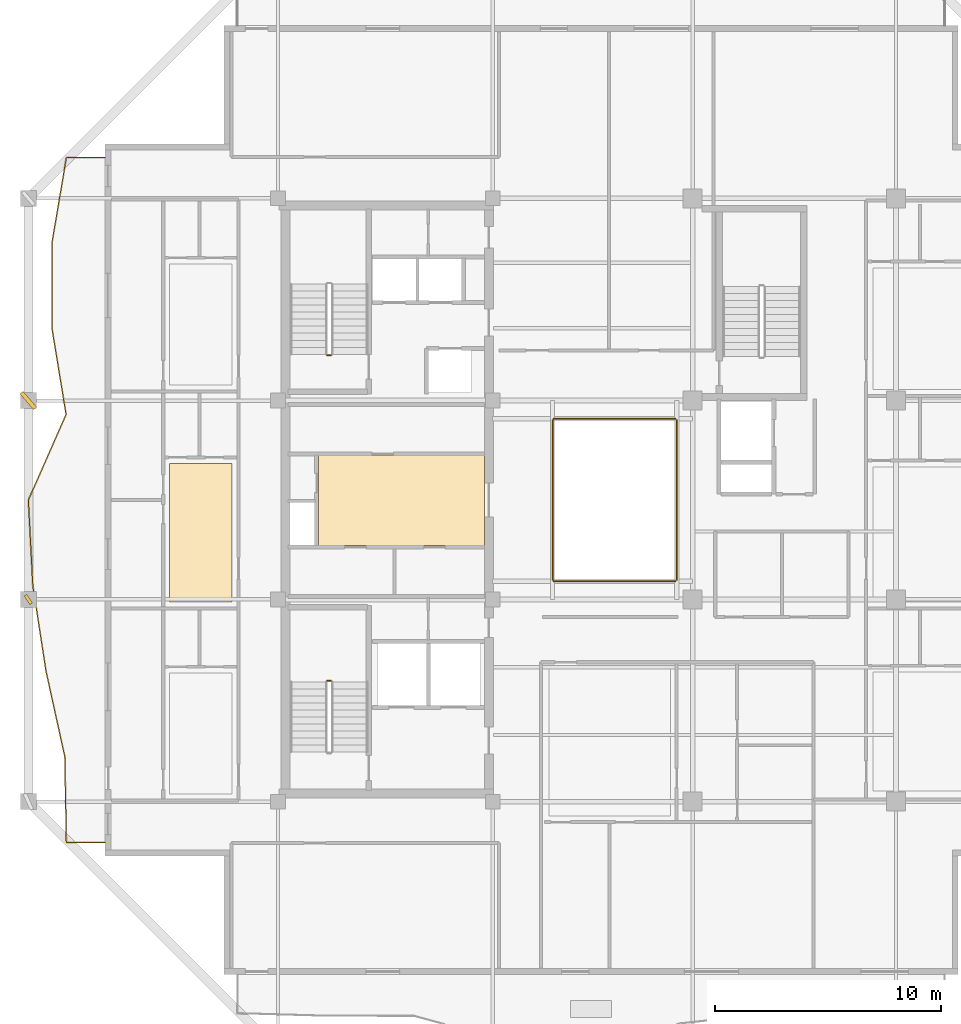
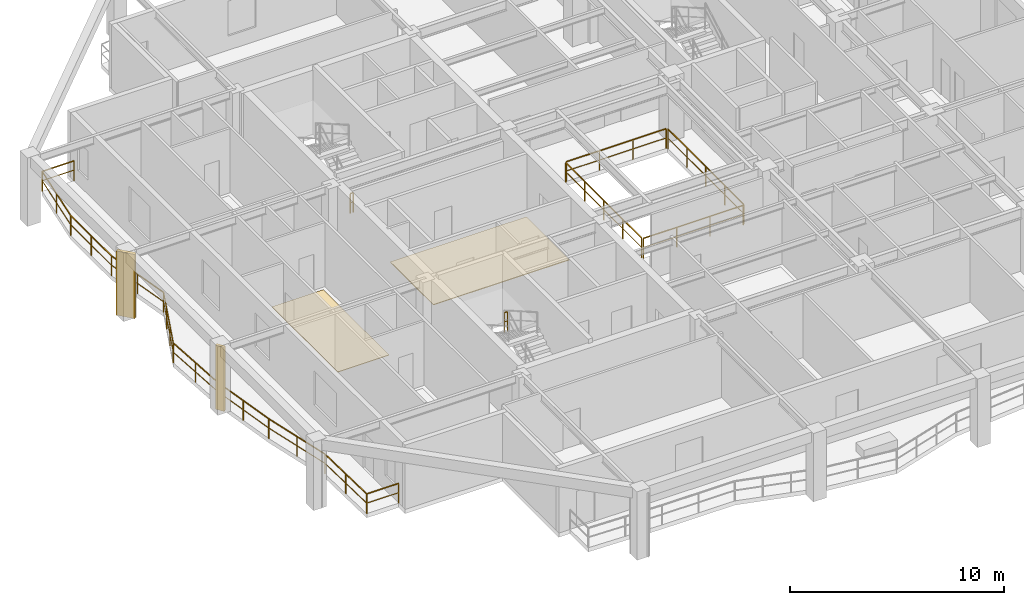
# One storey, part 9 of 13: 7 railings, 2 coverings, 2 shading devices.
"""IFC4 building model written with IfcOpenShell, lengths in metres."""

import ifcopenshell
import ifcopenshell.guid

model = None  # the IFC model being written
_history = None  # IfcOwnerHistory: only IFC2X3 demands one
_inside = {}  # id of a spatial element -> (the spatial element, [elements in it])
_under = {}  # id of a project, library or spatial element -> (it, [spatial elements below it])
_declared = {}  # id of a project -> (the project, [libraries it declares])
_typed = {}  # id of a type object -> (the type object, [elements of that type])
_made_of = {}  # id of a material, layer set ... -> (it, [elements and type objects made of it])


def new_model(schema):
    """Start an empty IFC model of exactly this schema.

    Asked for "IFC4X3", IfcOpenShell would pick the latest addendum, in which some entities
    have other attributes; the version numbers below select the first issue.
    IFC2X3 requires an IfcOwnerHistory on every rooted entity: one is made here for all.
    """
    global model, _history
    if schema == "IFC4X3":
        model = ifcopenshell.file(schema_version=(4, 3, 0, 0))
    else:
        model = ifcopenshell.file(schema=schema)
    _inside.clear()
    _under.clear()
    _declared.clear()
    _typed.clear()
    _made_of.clear()
    _history = None
    if model.schema == "IFC2X3":
        org = make("IfcOrganization", Name="unknown")
        user = make(
            "IfcPersonAndOrganization",
            ThePerson=make("IfcPerson", FamilyName="unknown"),
            TheOrganization=org,
        )
        app = make(
            "IfcApplication",
            ApplicationDeveloper=org,
            Version="unknown",
            ApplicationFullName="unknown",
            ApplicationIdentifier="unknown",
        )
        _history = make(
            "IfcOwnerHistory",
            OwningUser=user,
            OwningApplication=app,
            ChangeAction="ADDED",
            CreationDate=0,
        )
    return model


def make(cls, **values):
    """One entity of the class cls with the attributes given. An attribute that is None is left unset."""
    return model.create_entity(
        cls, **{name: value for name, value in values.items() if value is not None}
    )


def rooted(cls, **values):
    """An entity with a GlobalId (a new one), such as an element, a storey or a relation."""
    return make(cls, GlobalId=ifcopenshell.guid.new(), OwnerHistory=_history, **values)


def si_unit(unit_type, name, prefix=None):
    """IfcSIUnit, for example si_unit("LENGTHUNIT", "METRE", prefix="MILLI")."""
    return make("IfcSIUnit", UnitType=unit_type, Prefix=prefix, Name=name)


def assignment(units):
    """IfcUnitAssignment: the units of a project."""
    return None if units is None else make("IfcUnitAssignment", Units=units)


def point(xyz):
    """IfcCartesianPoint."""
    return None if xyz is None else make("IfcCartesianPoint", Coordinates=xyz)


def direction(xyz):
    """IfcDirection."""
    return None if xyz is None else make("IfcDirection", DirectionRatios=xyz)


def frame(location, z_axis=None, x_axis=None):
    """IfcAxis2Placement3D, a coordinate frame: its origin and axes. An axis left out is left unset."""
    return make(
        "IfcAxis2Placement3D",
        Location=point(location),
        Axis=direction(z_axis),
        RefDirection=direction(x_axis),
    )


def frame_2d(location, x_axis=None):
    """IfcAxis2Placement2D, a coordinate frame in the plane: its origin and x axis."""
    return make(
        "IfcAxis2Placement2D", Location=point(location), RefDirection=direction(x_axis)
    )


def origin():
    """The frame at (0, 0, 0) with its axes left unset."""
    return frame((0.0, 0.0, 0.0))


def origin_2d():
    """The frame at (0, 0) in the plane with its x axis left unset."""
    return frame_2d((0.0, 0.0))


def place(relative_to, where):
    """IfcLocalPlacement: puts the frame where relative to a parent placement (None: the world)."""
    return make(
        "IfcLocalPlacement", PlacementRelTo=relative_to, RelativePlacement=where
    )


def context(
    kind, dimensions, precision=None, world=None, true_north=None, identifier=None
):
    """IfcGeometricRepresentationContext, for example the 3D "Model" context."""
    return make(
        "IfcGeometricRepresentationContext",
        ContextIdentifier=identifier,
        ContextType=kind,
        CoordinateSpaceDimension=dimensions,
        Precision=precision,
        WorldCoordinateSystem=world,
        TrueNorth=true_north,
    )


def subcontext(parent, identifier, kind, view, scale=None):
    """IfcGeometricRepresentationSubContext, for example "Body" below "Model"."""
    return make(
        "IfcGeometricRepresentationSubContext",
        ContextIdentifier=identifier,
        ContextType=kind,
        ParentContext=parent,
        TargetScale=scale,
        TargetView=view,
    )


def project(units=None, contexts=None):
    """IfcProject with its units and contexts."""
    return rooted(
        "IfcProject",
        Name="project",
        RepresentationContexts=contexts,
        UnitsInContext=assignment(units),
    )


def spatial(cls, under=None, at=None, **own):
    """A site, building, storey or space (cls), placed at a placement, below another one or the project."""
    s = rooted(cls, ObjectPlacement=at, **own)
    if under is not None:
        _under.setdefault(under.id(), (under, []))[1].append(s)
    return s


def polyline(points):
    """IfcPolyline through the points."""
    return make("IfcPolyline", Points=[point(p) for p in points])


def profile(cls, at=None, kind="AREA", **sizes):
    """A parametric profile (cls). Its sizes go by their IFC names, for example OverallWidth=200.0."""
    return make(cls, ProfileType=kind, Position=at, **sizes)


def rectangle(**sizes):
    """IfcRectangleProfileDef."""
    return profile("IfcRectangleProfileDef", **sizes)


def outline(outer, holes=None, kind="AREA"):
    """IfcArbitraryClosedProfileDef: a profile drawn as a closed curve; with holes, ...WithVoids."""
    if holes is None:
        return make("IfcArbitraryClosedProfileDef", ProfileType=kind, OuterCurve=outer)
    return make(
        "IfcArbitraryProfileDefWithVoids",
        ProfileType=kind,
        OuterCurve=outer,
        InnerCurves=holes,
    )


def extrude(swept, where, along, depth):
    """IfcExtrudedAreaSolid: the profile swept, set in the frame where, extruded along a direction by depth."""
    return make(
        "IfcExtrudedAreaSolid",
        SweptArea=swept,
        Position=where,
        ExtrudedDirection=direction(along),
        Depth=depth,
    )


def shape(context_of_items, identifier, shape_type, items):
    """IfcShapeRepresentation: the items that make up one representation, for example the "Body"."""
    return make(
        "IfcShapeRepresentation",
        ContextOfItems=context_of_items,
        RepresentationIdentifier=identifier,
        RepresentationType=shape_type,
        Items=items,
    )


def material(Name=None, Category=None):
    """IfcMaterial."""
    return make("IfcMaterial", Name=Name, Category=Category)


def layer(
    of_material, thickness, ventilated=None, Name=None, Category=None, Priority=None
):
    """IfcMaterialLayer: one layer of a wall or slab, of a material (None: an air gap)."""
    return make(
        "IfcMaterialLayer",
        Material=of_material,
        LayerThickness=thickness,
        IsVentilated=ventilated,
        Name=Name,
        Category=Category,
        Priority=Priority,
    )


def layer_set(layers, Name=None):
    """IfcMaterialLayerSet."""
    return make("IfcMaterialLayerSet", MaterialLayers=layers, LayerSetName=Name)


def made_of(thing, what):
    """Note that an element or type object is made of a material, layer set ...; save() writes the relation."""
    if what is not None:
        _made_of.setdefault(what.id(), (what, []))[1].append(thing)
    return thing


def type_object(cls, material=None, **own):
    """A type object (cls), such as IfcWallType, which elements share."""
    return made_of(rooted(cls, **own), material)


def element(
    cls,
    number,
    at=None,
    inside=None,
    cuts=None,
    type_object=None,
    material=None,
    context=None,
    identifier="Body",
    shape_type=None,
    held_by="IfcProductDefinitionShape",
    body=None,
    shapes=None,
    **own,
):
    """One element of the class cls, such as IfcWall. Its Tag is "e" and its number.

    at: its placement. inside: the storey or other place that contains it. cuts: it is an
    opening in that element (IfcRelVoidsElement). A single representation is given by context,
    identifier, shape_type and body (its items); several are given by shapes. held_by: the class
    of the entity that holds the representations. save() writes the other relations.
    """
    e = rooted(cls, Tag="e%d" % number, ObjectPlacement=at, **own)
    if body is not None:
        shapes = [shape(context, identifier, shape_type, body)]
    if shapes is not None:
        e.Representation = make(held_by, Representations=shapes)
    if inside is not None:
        _inside.setdefault(inside.id(), (inside, []))[1].append(e)
    if cuts is not None:
        rooted(
            "IfcRelVoidsElement", RelatingBuildingElement=cuts, RelatedOpeningElement=e
        )
    if type_object is not None:
        _typed.setdefault(type_object.id(), (type_object, []))[1].append(e)
    return made_of(e, material)


def aggregate(whole, parts):
    """IfcRelAggregates: a whole, such as a stair, and the parts it consists of."""
    return rooted("IfcRelAggregates", RelatingObject=whole, RelatedObjects=parts)


def save(model, path):
    """Write the relations noted so far, then the file.

    IfcRelAggregates (storeys below a building ...), IfcRelContainedInSpatialStructure (elements
    in a storey), IfcRelDefinesByType, IfcRelAssociatesMaterial and IfcRelDeclares: one each for
    every whole, place, type object, material and project.
    """
    for whole, parts in _under.values():
        aggregate(whole, parts)
    for where, things in _inside.values():
        rooted(
            "IfcRelContainedInSpatialStructure",
            RelatedElements=things,
            RelatingStructure=where,
        )
    for kind, things in _typed.values():
        rooted("IfcRelDefinesByType", RelatedObjects=things, RelatingType=kind)
    for what, things in _made_of.values():
        rooted("IfcRelAssociatesMaterial", RelatedObjects=things, RelatingMaterial=what)
    for by, libraries in _declared.values():
        rooted("IfcRelDeclares", RelatingContext=by, RelatedDefinitions=libraries)
    model.write(path)


model = new_model("IFC4")

# Units and contexts
model_context = context("Model", 3, precision=1e-05, world=origin(), true_north=direction((0.0, 1.0)))
body_context = subcontext(model_context, "Body", "Model", "MODEL_VIEW")
ifc_project = project(units=[si_unit("LENGTHUNIT", "METRE"), si_unit("AREAUNIT", "SQUARE_METRE"), si_unit("VOLUMEUNIT", "CUBIC_METRE"), si_unit("PLANEANGLEUNIT", "RADIAN"), si_unit("MASSUNIT", "GRAM", prefix="KILO")], contexts=[model_context])

# Site, building, storey
site_placement = place(None, origin())
site = spatial("IfcSite", under=ifc_project, at=site_placement, CompositionType="ELEMENT")
building_placement = place(site_placement, origin())
building = spatial("IfcBuilding", under=site, at=building_placement, Name="Kundavana Baori Tower", CompositionType="ELEMENT")
storey_placement = place(building_placement, frame((0.0, 0.0, 225.800048828125)))
storey = spatial("IfcBuildingStorey", under=building, at=storey_placement, Name="L55", CompositionType="ELEMENT", Elevation=225.800048828125)

# Coverings
ifc_material_1 = material(Name="Honed Kota Stone and Terrazzo Flooring", Category="masonry")
ifc_layer_1 = layer(ifc_material_1, 0.0400390625, Name="COV-FLR-TERR-40")
ifc_layer_set_1 = layer_set([ifc_layer_1], Name="Honed Kota Stone and Terrazzo Flooring")
covering_type_1 = type_object("IfcCoveringType", Name="COV-FLR-TERR-40", PredefinedType="FLOORING", material=ifc_layer_set_1)
covering_1_placement = place(storey_placement, origin())
element("IfcCovering", 1, at=covering_1_placement, inside=storey, type_object=covering_type_1, Name="L55 Core Lift Lobby Kota Stone Flooring", PredefinedType="FLOORING", context=body_context, shape_type="SweptSolid", body=[
    extrude(outline(polyline([(17.25, 26.580078125), (24.580078125, 26.580078125), (24.580078125, 30.60009765625), (17.25, 30.60009765625), (17.25, 26.580078125)])), origin(), (0.0, 0.0, 1.0), 0.0400390625),
])
ifc_material_2 = material(Name="Honed Kota Stone and Terrazzo Flooring", Category="masonry")
ifc_layer_2 = layer(ifc_material_2, 0.030029296875, Name="COV-INT-FLR")
ifc_layer_set_2 = layer_set([ifc_layer_2], Name="Honed Kota Stone and Terrazzo Flooring")
covering_type_2 = type_object("IfcCoveringType", Name="COV-INT-FLR", PredefinedType="FLOORING", material=ifc_layer_set_2)
covering_2_placement = place(storey_placement, origin())
element("IfcCovering", 2, at=covering_2_placement, inside=storey, type_object=covering_type_2, Name="L55 Room Finished Stone Flooring 2", PredefinedType="FLOORING", context=body_context, shape_type="SweptSolid", body=[
    extrude(outline(polyline([(10.64990234375, 24.080078125), (13.419921875, 24.080078125), (13.419921875, 30.2099609375), (10.64990234375, 30.2099609375), (10.64990234375, 24.080078125)])), origin(), (0.0, 0.0, 1.0), 0.030029296875),
])

# Railings
ifc_material_3 = material(Name="Architectural Patinated Bronze Metalwork")
railing_type_1 = type_object("IfcRailingType", Name="RL-BAL-1150", PredefinedType="BALUSTRADE", material=ifc_material_3)
railing_1_placement = place(storey_placement, frame((7.800048828125, 13.449951171875, 0.0)))
element("IfcRailing", 3, at=railing_1_placement, inside=storey, type_object=railing_type_1, Name="L55 Loggia Balcony Balustrade W", PredefinedType="BALUSTRADE", context=body_context, shape_type="SweptSolid", body=[
    extrude(rectangle(XDim=0.048095703125, YDim=0.048095703125, at=origin_2d()), frame((0.0, 0.0, 1.1259765625), z_axis=(-1.0, 0.0, 0.0), x_axis=(0.0, -1.0, 0.0)), (0.0, 0.0, 1.0), 1.719970703125),
    extrude(rectangle(XDim=0.03125, YDim=0.03125, at=origin_2d()), frame((0.0, 0.0, 0.597900390625), z_axis=(-1.0, 0.0, 0.0), x_axis=(0.0, -1.0, 0.0)), (0.0, 0.0, 1.0), 1.719970703125),
    extrude(rectangle(XDim=0.048095703125, YDim=0.048095703125, at=origin_2d()), frame((-1.719970703125, 0.0, 1.1259765625), z_axis=(-0.018236203852, 0.999833706608, 0.0), x_axis=(-0.999833706608, -0.018236203852, 0.0)), (0.0, 0.0, 1.0), 3.788818359375),
    extrude(rectangle(XDim=0.03125, YDim=0.03125, at=origin_2d()), frame((-1.719970703125, 0.0, 0.597900390625), z_axis=(-0.018236203852, 0.999833706608, 0.0), x_axis=(-0.999833706608, -0.018236203852, 0.0)), (0.0, 0.0, 1.0), 3.788818359375),
    extrude(rectangle(XDim=0.048095703125, YDim=0.048095703125, at=origin_2d()), frame((-1.7890625, 3.7880859375, 1.1259765625), z_axis=(-0.214836558169, 0.976650015755, 0.0), x_axis=(-0.976650015755, -0.214836558169, 0.0)), (0.0, 0.0, 1.0), 3.87744140625),
    extrude(rectangle(XDim=0.03125, YDim=0.03125, at=origin_2d()), frame((-1.7890625, 3.7880859375, 0.597900390625), z_axis=(-0.214836558169, 0.976650015755, 0.0), x_axis=(-0.976650015755, -0.214836558169, 0.0)), (0.0, 0.0, 1.0), 3.87744140625),
    extrude(rectangle(XDim=0.048095703125, YDim=0.048095703125, at=origin_2d()), frame((-2.6220703125, 7.574951171875, 1.1259765625), z_axis=(-0.15165495858, 0.988433494747, 0.0), x_axis=(-0.988433494747, -0.15165495858, 0.0)), (0.0, 0.0, 1.0), 3.83154296875),
    extrude(rectangle(XDim=0.03125, YDim=0.03125, at=origin_2d()), frame((-2.6220703125, 7.574951171875, 0.597900390625), z_axis=(-0.15165495858, 0.988433494747, 0.0), x_axis=(-0.988433494747, -0.15165495858, 0.0)), (0.0, 0.0, 1.0), 3.83154296875),
    extrude(rectangle(XDim=0.048095703125, YDim=0.048095703125, at=origin_2d()), frame((-3.203125, 11.362060546875, 1.1259765625), z_axis=(-0.051940622011, 0.998650174879, 0.0), x_axis=(-0.998650174879, -0.051940622011, 0.0)), (0.0, 0.0, 1.0), 3.793212890625),
    extrude(rectangle(XDim=0.03125, YDim=0.03125, at=origin_2d()), frame((-3.203125, 11.362060546875, 0.597900390625), z_axis=(-0.051940622011, 0.998650174879, 0.0), x_axis=(-0.998650174879, -0.051940622011, 0.0)), (0.0, 0.0, 1.0), 3.793212890625),
    extrude(rectangle(XDim=0.048095703125, YDim=0.048095703125, at=origin_2d()), frame((-3.400146484375, 15.150146484375, 1.1259765625), z_axis=(0.402807807937, 0.915284584086, 0.0), x_axis=(-0.915284584086, 0.402807807937, 0.0)), (0.0, 0.0, 1.0), 4.138427734375),
    extrude(rectangle(XDim=0.03125, YDim=0.03125, at=origin_2d()), frame((-3.400146484375, 15.150146484375, 0.597900390625), z_axis=(0.402807807937, 0.915284584086, 0.0), x_axis=(-0.915284584086, 0.402807807937, 0.0)), (0.0, 0.0, 1.0), 4.138427734375),
    extrude(rectangle(XDim=0.048095703125, YDim=0.048095703125, at=origin_2d()), frame((-1.733154296875, 18.93798828125, 1.1259765625), z_axis=(-0.16177807389, 0.986827165622, 0.0), x_axis=(-0.986827165622, -0.16177807389, 0.0)), (0.0, 0.0, 1.0), 3.837646484375),
    extrude(rectangle(XDim=0.03125, YDim=0.03125, at=origin_2d()), frame((-1.733154296875, 18.93798828125, 0.597900390625), z_axis=(-0.16177807389, 0.986827165622, 0.0), x_axis=(-0.986827165622, -0.16177807389, 0.0)), (0.0, 0.0, 1.0), 3.837646484375),
    extrude(rectangle(XDim=0.048095703125, YDim=0.048095703125, at=origin_2d()), frame((-2.35400390625, 22.72509765625, 1.1259765625), z_axis=(-0.002127517589, 0.999997736832, 0.0), x_axis=(-0.999997736832, -0.002127517589, 0.0)), (0.0, 0.0, 1.0), 3.786865234375),
    extrude(rectangle(XDim=0.03125, YDim=0.03125, at=origin_2d()), frame((-2.35400390625, 22.72509765625, 0.597900390625), z_axis=(-0.002127517589, 0.999997736832, 0.0), x_axis=(-0.999997736832, -0.002127517589, 0.0)), (0.0, 0.0, 1.0), 3.786865234375),
    extrude(rectangle(XDim=0.048095703125, YDim=0.048095703125, at=origin_2d()), frame((-2.362060546875, 26.511962890625, 1.1259765625), z_axis=(0.167118699382, 0.985936783124, 0.0), x_axis=(-0.985936783124, 0.167118699382, 0.0)), (0.0, 0.0, 1.0), 3.842041015625),
    extrude(rectangle(XDim=0.03125, YDim=0.03125, at=origin_2d()), frame((-2.362060546875, 26.511962890625, 0.597900390625), z_axis=(0.167118699382, 0.985936783124, 0.0), x_axis=(-0.985936783124, 0.167118699382, 0.0)), (0.0, 0.0, 1.0), 3.842041015625),
    extrude(rectangle(XDim=0.048095703125, YDim=0.048095703125, at=origin_2d()), frame((-1.719970703125, 30.300048828125, 1.1259765625), z_axis=(1.0, 0.0, 0.0), x_axis=(0.0, 1.0, 0.0)), (0.0, 0.0, 1.0), 1.719970703125),
    extrude(rectangle(XDim=0.03125, YDim=0.03125, at=origin_2d()), frame((-1.719970703125, 30.300048828125, 0.597900390625), z_axis=(1.0, 0.0, 0.0), x_axis=(0.0, 1.0, 0.0)), (0.0, 0.0, 1.0), 1.719970703125),
    extrude(rectangle(XDim=0.0419921875, YDim=0.0419921875, at=origin_2d()), origin(), (0.0, 0.0, 1.0), 1.101806640625),
    extrude(rectangle(XDim=0.0419921875, YDim=0.0419921875, at=origin_2d()), frame((-1.719970703125, 0.0, 0.0)), (0.0, 0.0, 1.0), 1.101806640625),
    extrude(rectangle(XDim=0.0419921875, YDim=0.0419921875, at=origin_2d()), frame((-1.75439453125, 1.89404296875, 0.0)), (0.0, 0.0, 1.0), 1.101806640625),
    extrude(rectangle(XDim=0.0419921875, YDim=0.0419921875, at=origin_2d()), frame((-1.7890625, 3.7880859375, 0.0)), (0.0, 0.0, 1.0), 1.101806640625),
    extrude(rectangle(XDim=0.0419921875, YDim=0.0419921875, at=origin_2d()), frame((-2.20556640625, 5.681640625, 0.0)), (0.0, 0.0, 1.0), 1.101806640625),
    extrude(rectangle(XDim=0.0419921875, YDim=0.0419921875, at=origin_2d()), frame((-2.6220703125, 7.574951171875, 0.0)), (0.0, 0.0, 1.0), 1.101806640625),
    extrude(rectangle(XDim=0.0419921875, YDim=0.0419921875, at=origin_2d()), frame((-2.91259765625, 9.468505859375, 0.0)), (0.0, 0.0, 1.0), 1.101806640625),
    extrude(rectangle(XDim=0.0419921875, YDim=0.0419921875, at=origin_2d()), frame((-3.203125, 11.362060546875, 0.0)), (0.0, 0.0, 1.0), 1.101806640625),
    extrude(rectangle(XDim=0.0419921875, YDim=0.0419921875, at=origin_2d()), frame((-3.3017578125, 13.256103515625, 0.0)), (0.0, 0.0, 1.0), 1.101806640625),
    extrude(rectangle(XDim=0.0419921875, YDim=0.0419921875, at=origin_2d()), frame((-3.400146484375, 15.150146484375, 0.0)), (0.0, 0.0, 1.0), 1.101806640625),
    extrude(rectangle(XDim=0.0419921875, YDim=0.0419921875, at=origin_2d()), frame((-2.844482421875, 16.412841796875, 0.0)), (0.0, 0.0, 1.0), 1.101806640625),
    extrude(rectangle(XDim=0.0419921875, YDim=0.0419921875, at=origin_2d()), frame((-2.288818359375, 17.67529296875, 0.0)), (0.0, 0.0, 1.0), 1.101806640625),
    extrude(rectangle(XDim=0.0419921875, YDim=0.0419921875, at=origin_2d()), frame((-1.733154296875, 18.93798828125, 0.0)), (0.0, 0.0, 1.0), 1.101806640625),
    extrude(rectangle(XDim=0.0419921875, YDim=0.0419921875, at=origin_2d()), frame((-2.04345703125, 20.83154296875, 0.0)), (0.0, 0.0, 1.0), 1.101806640625),
    extrude(rectangle(XDim=0.0419921875, YDim=0.0419921875, at=origin_2d()), frame((-2.35400390625, 22.72509765625, 0.0)), (0.0, 0.0, 1.0), 1.101806640625),
    extrude(rectangle(XDim=0.0419921875, YDim=0.0419921875, at=origin_2d()), frame((-2.35791015625, 24.61865234375, 0.0)), (0.0, 0.0, 1.0), 1.101806640625),
    extrude(rectangle(XDim=0.0419921875, YDim=0.0419921875, at=origin_2d()), frame((-2.362060546875, 26.511962890625, 0.0)), (0.0, 0.0, 1.0), 1.101806640625),
    extrude(rectangle(XDim=0.0419921875, YDim=0.0419921875, at=origin_2d()), frame((-2.041015625, 28.406005859375, 0.0)), (0.0, 0.0, 1.0), 1.101806640625),
    extrude(rectangle(XDim=0.0419921875, YDim=0.0419921875, at=origin_2d()), frame((-1.719970703125, 30.300048828125, 0.0)), (0.0, 0.0, 1.0), 1.101806640625),
    extrude(rectangle(XDim=0.0419921875, YDim=0.0419921875, at=origin_2d()), frame((0.0, 30.300048828125, 0.0)), (0.0, 0.0, 1.0), 1.101806640625),
])
ifc_material_4 = material(Name="Architectural Patinated Bronze Metalwork")
railing_type_2 = type_object("IfcRailingType", Name="RL-GRD-1150", PredefinedType="GUARDRAIL", material=ifc_material_4)
for number, where, name in (
    (4, (17.7900390625, 20.60009765625, 1.949951171875), "L55 ST1 stair guard 2"),
    (5, (17.7900390625, 35.0, 0.0), "L55 ST2 stair guard 4"),
):
    element("IfcRailing", number, at=place(storey_placement, frame(where)), inside=storey, type_object=railing_type_2, Name=name, PredefinedType="GUARDRAIL", context=body_context, shape_type="SweptSolid", body=[
        extrude(rectangle(XDim=0.048095703125, YDim=0.048095703125, at=origin_2d()), frame((0.0, 0.0, 1.1259765625), z_axis=(-1.0, 0.0, 0.0), x_axis=(0.0, -1.0, 0.0)), (0.0, 0.0, 1.0), 0.16015625),
        extrude(rectangle(XDim=0.03125, YDim=0.03125, at=origin_2d()), frame((0.0, 0.0, 0.597900390625), z_axis=(-1.0, 0.0, 0.0), x_axis=(0.0, -1.0, 0.0)), (0.0, 0.0, 1.0), 0.16015625),
        extrude(rectangle(XDim=0.0419921875, YDim=0.0419921875, at=origin_2d()), origin(), (0.0, 0.0, 1.0), 1.101806640625),
        extrude(rectangle(XDim=0.0419921875, YDim=0.0419921875, at=origin_2d()), frame((-0.16015625, 0.0, 0.0)), (0.0, 0.0, 1.0), 1.101806640625),
    ])
railing_2_placement = place(storey_placement, frame((27.659912109375, 25.0, 0.0)))
element("IfcRailing", 6, at=railing_2_placement, inside=storey, type_object=railing_type_2, Name="L55 Atrium Void Perimeter Guardrail S", PredefinedType="GUARDRAIL", context=body_context, shape_type="SweptSolid", body=[
    extrude(rectangle(XDim=0.048095703125, YDim=0.048095703125, at=origin_2d()), frame((0.0, 0.0, 1.1259765625), z_axis=(1.0, 0.0, 0.0), x_axis=(0.0, 1.0, 0.0)), (0.0, 0.0, 1.0), 5.380126953125),
    extrude(rectangle(XDim=0.03125, YDim=0.03125, at=origin_2d()), frame((0.0, 0.0, 0.597900390625), z_axis=(1.0, 0.0, 0.0), x_axis=(0.0, 1.0, 0.0)), (0.0, 0.0, 1.0), 5.380126953125),
    extrude(rectangle(XDim=0.0419921875, YDim=0.0419921875, at=origin_2d()), origin(), (0.0, 0.0, 1.0), 1.101806640625),
    extrude(rectangle(XDim=0.0419921875, YDim=0.0419921875, at=origin_2d()), frame((1.79345703125, 0.0, 0.0)), (0.0, 0.0, 1.0), 1.101806640625),
    extrude(rectangle(XDim=0.0419921875, YDim=0.0419921875, at=origin_2d()), frame((3.586669921875, 0.0, 0.0)), (0.0, 0.0, 1.0), 1.101806640625),
    extrude(rectangle(XDim=0.0419921875, YDim=0.0419921875, at=origin_2d()), frame((5.380126953125, 0.0, 0.0)), (0.0, 0.0, 1.0), 1.101806640625),
])
railing_3_placement = place(storey_placement, frame((33.10009765625, 25.06005859375, 0.0)))
element("IfcRailing", 7, at=railing_3_placement, inside=storey, type_object=railing_type_2, Name="L55 Atrium Void Perimeter Guardrail E", PredefinedType="GUARDRAIL", context=body_context, shape_type="SweptSolid", body=[
    extrude(rectangle(XDim=0.048095703125, YDim=0.048095703125, at=origin_2d()), frame((0.0, 0.0, 1.1259765625), z_axis=(0.0, 1.0, 0.0), x_axis=(-1.0, 0.0, 0.0)), (0.0, 0.0, 1.0), 7.079833984375),
    extrude(rectangle(XDim=0.03125, YDim=0.03125, at=origin_2d()), frame((0.0, 0.0, 0.597900390625), z_axis=(0.0, 1.0, 0.0), x_axis=(-1.0, 0.0, 0.0)), (0.0, 0.0, 1.0), 7.079833984375),
    extrude(rectangle(XDim=0.0419921875, YDim=0.0419921875, at=origin_2d()), origin(), (0.0, 0.0, 1.0), 1.101806640625),
    extrude(rectangle(XDim=0.0419921875, YDim=0.0419921875, at=origin_2d()), frame((0.0, 1.77001953125, 0.0)), (0.0, 0.0, 1.0), 1.101806640625),
    extrude(rectangle(XDim=0.0419921875, YDim=0.0419921875, at=origin_2d()), frame((0.0, 3.5400390625, 0.0)), (0.0, 0.0, 1.0), 1.101806640625),
    extrude(rectangle(XDim=0.0419921875, YDim=0.0419921875, at=origin_2d()), frame((0.0, 5.309814453125, 0.0)), (0.0, 0.0, 1.0), 1.101806640625),
    extrude(rectangle(XDim=0.0419921875, YDim=0.0419921875, at=origin_2d()), frame((0.0, 7.079833984375, 0.0)), (0.0, 0.0, 1.0), 1.101806640625),
])
railing_4_placement = place(storey_placement, frame((33.0400390625, 32.199951171875, 0.0)))
element("IfcRailing", 8, at=railing_4_placement, inside=storey, type_object=railing_type_2, Name="L55 Atrium Void Perimeter Guardrail N", PredefinedType="GUARDRAIL", context=body_context, shape_type="SweptSolid", body=[
    extrude(rectangle(XDim=0.048095703125, YDim=0.048095703125, at=origin_2d()), frame((0.0, 0.0, 1.1259765625), z_axis=(-1.0, 0.0, 0.0), x_axis=(0.0, -1.0, 0.0)), (0.0, 0.0, 1.0), 5.380126953125),
    extrude(rectangle(XDim=0.03125, YDim=0.03125, at=origin_2d()), frame((0.0, 0.0, 0.597900390625), z_axis=(-1.0, 0.0, 0.0), x_axis=(0.0, -1.0, 0.0)), (0.0, 0.0, 1.0), 5.380126953125),
    extrude(rectangle(XDim=0.0419921875, YDim=0.0419921875, at=origin_2d()), origin(), (0.0, 0.0, 1.0), 1.101806640625),
    extrude(rectangle(XDim=0.0419921875, YDim=0.0419921875, at=origin_2d()), frame((-1.79345703125, 0.0, 0.0)), (0.0, 0.0, 1.0), 1.101806640625),
    extrude(rectangle(XDim=0.0419921875, YDim=0.0419921875, at=origin_2d()), frame((-3.586669921875, 0.0, 0.0)), (0.0, 0.0, 1.0), 1.101806640625),
    extrude(rectangle(XDim=0.0419921875, YDim=0.0419921875, at=origin_2d()), frame((-5.380126953125, 0.0, 0.0)), (0.0, 0.0, 1.0), 1.101806640625),
])
railing_5_placement = place(storey_placement, frame((27.60009765625, 32.139892578125, 0.0)))
element("IfcRailing", 9, at=railing_5_placement, inside=storey, type_object=railing_type_2, Name="L55 Atrium Void Perimeter Guardrail W", PredefinedType="GUARDRAIL", context=body_context, shape_type="SweptSolid", body=[
    extrude(rectangle(XDim=0.048095703125, YDim=0.048095703125, at=origin_2d()), frame((0.0, 0.0, 1.1259765625), z_axis=(0.0, -1.0, 0.0), x_axis=(1.0, 0.0, 0.0)), (0.0, 0.0, 1.0), 7.079833984375),
    extrude(rectangle(XDim=0.03125, YDim=0.03125, at=origin_2d()), frame((0.0, 0.0, 0.597900390625), z_axis=(0.0, -1.0, 0.0), x_axis=(1.0, 0.0, 0.0)), (0.0, 0.0, 1.0), 7.079833984375),
    extrude(rectangle(XDim=0.0419921875, YDim=0.0419921875, at=origin_2d()), origin(), (0.0, 0.0, 1.0), 1.101806640625),
    extrude(rectangle(XDim=0.0419921875, YDim=0.0419921875, at=origin_2d()), frame((0.0, -1.77001953125, 0.0)), (0.0, 0.0, 1.0), 1.101806640625),
    extrude(rectangle(XDim=0.0419921875, YDim=0.0419921875, at=origin_2d()), frame((0.0, -3.5400390625, 0.0)), (0.0, 0.0, 1.0), 1.101806640625),
    extrude(rectangle(XDim=0.0419921875, YDim=0.0419921875, at=origin_2d()), frame((0.0, -5.309814453125, 0.0)), (0.0, 0.0, 1.0), 1.101806640625),
    extrude(rectangle(XDim=0.0419921875, YDim=0.0419921875, at=origin_2d()), frame((0.0, -7.079833984375, 0.0)), (0.0, 0.0, 1.0), 1.101806640625),
])

# Shading devices
ifc_material_5 = material(Name="Red-Buff Dholpur Sandstone Cladding on Concrete C40/50", Category="masonry")
shading_device_type_1 = type_object("IfcShadingDeviceType", Name="SHD-FIN-920", PredefinedType="JALOUSIE", material=ifc_material_5)
shading_device_1_placement = place(storey_placement, frame((4.39990234375, 33.0, 0.0), z_axis=(0.0, 0.0, 1.0), x_axis=(0.754824072629, 0.655927297328, 0.0)))
element("IfcShadingDevice", 10, at=shading_device_1_placement, inside=storey, type_object=shading_device_type_1, Name="L55 Sweeping Dholpur Sandstone Facade Fin 7", PredefinedType="JALOUSIE", context=body_context, shape_type="SweptSolid", body=[
    extrude(rectangle(XDim=0.179931640625, YDim=0.919921875, at=origin_2d()), origin(), (0.0, 0.0, 1.0), 3.659912109375),
])
ifc_material_6 = material(Name="Architectural Patinated Bronze Metalwork")
shading_device_type_2 = type_object("IfcShadingDeviceType", Name="SHD-LOUV-450", PredefinedType="SHUTTER", material=ifc_material_6)
shading_device_2_placement = place(storey_placement, frame((4.39990234375, 24.199951171875, 0.0), z_axis=(0.0, 0.0, 1.0), x_axis=(0.837050902177, 0.547125019684, 0.0)))
element("IfcShadingDevice", 11, at=shading_device_2_placement, inside=storey, type_object=shading_device_type_2, Name="L55 Sweeping Dholpur Sandstone Facade Fin 6", PredefinedType="SHUTTER", context=body_context, shape_type="SweptSolid", body=[
    extrude(rectangle(XDim=0.139892578125, YDim=0.449951171875, at=origin_2d()), origin(), (0.0, 0.0, 1.0), 3.659912109375),
])

save(model, "model.ifc")
